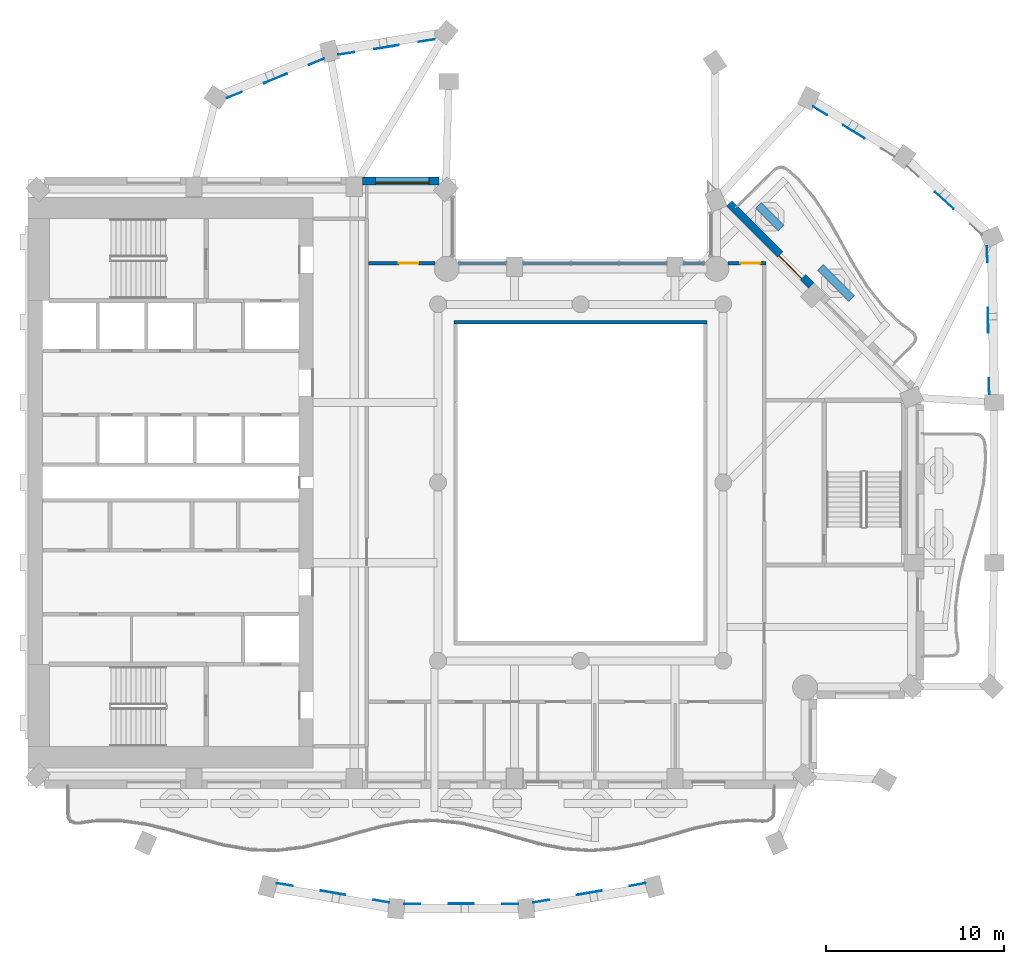
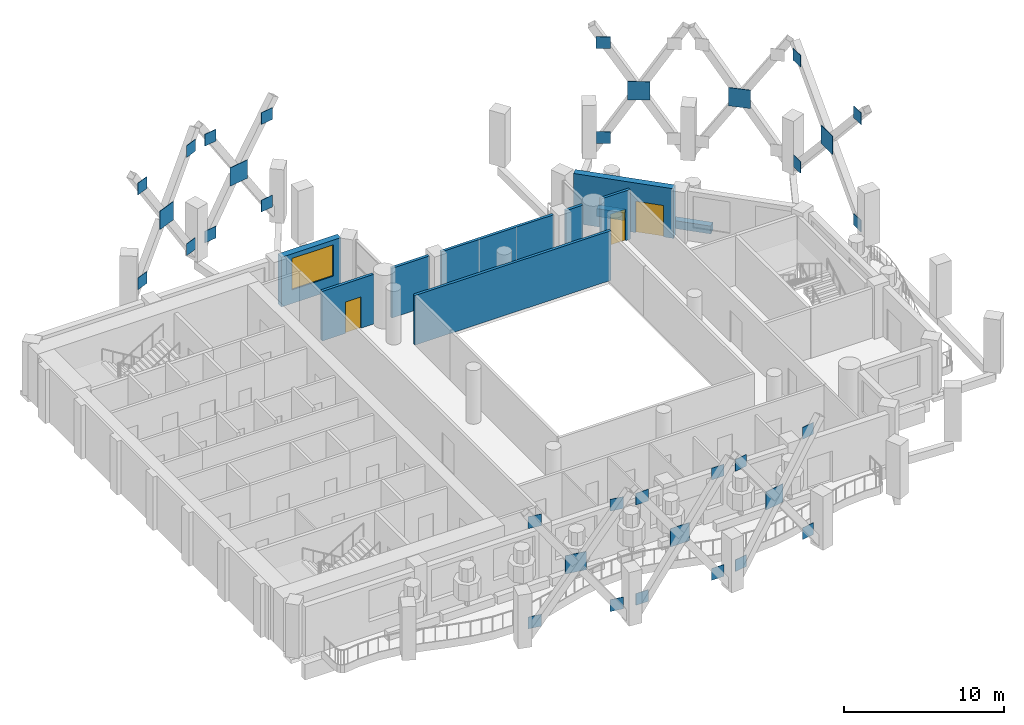
# One storey, part 7 of 16: 34 discrete accessories, 10 walls, 3 doors, 1 window, 4 openings.
"""IFC4 building model written with IfcOpenShell, lengths in metres."""

from ifc_helpers import new_model, si_unit, direction, frame, frame_2d, origin, origin_2d, place, context, subcontext, project, spatial, rectangle, extrude, material, layer, layer_set, material_profile, profile_set, type_object, element, fill, save


model = new_model("IFC4")

# Units and contexts
model_context = context("Model", 3, precision=1e-05, world=origin(), true_north=direction((0.0, 1.0)))
body_context = subcontext(model_context, "Body", "Model", "MODEL_VIEW")
ifc_project = project(units=[si_unit("LENGTHUNIT", "METRE"), si_unit("AREAUNIT", "SQUARE_METRE"), si_unit("VOLUMEUNIT", "CUBIC_METRE"), si_unit("PLANEANGLEUNIT", "RADIAN"), si_unit("MASSUNIT", "GRAM", prefix="KILO")], contexts=[model_context])

# Site, building, storey
site_placement = place(None, origin())
site = spatial("IfcSite", under=ifc_project, at=site_placement, CompositionType="ELEMENT")
building_placement = place(site_placement, origin())
building = spatial("IfcBuilding", under=site, at=building_placement, Name="Cypress Arch Tower", CompositionType="ELEMENT")
storey_placement = place(building_placement, frame((0.0, 0.0, 230.199951171875)))
storey = spatial("IfcBuildingStorey", under=building, at=storey_placement, Name="L51", CompositionType="ELEMENT", Elevation=230.199951171875)

# Walls
ifc_material_1 = material(Name="Concrete C40/50, waterproofed", Category="concrete")
ifc_layer_1 = layer(ifc_material_1, 0.449951171875)
ifc_layer_set_1 = layer_set([ifc_layer_1], Name="Balcony planter wall PW450")
wall_type_1 = type_object("IfcWallType", Name="Balcony planter wall PW450", PredefinedType="SOLIDWALL", material=ifc_layer_set_1)
wall_1_placement = place(storey_placement, frame((16.2060546875, 10.30810546875, 0.0), z_axis=(0.0, 0.0, 1.0), x_axis=(-0.707057827829, 0.707155731156, 0.0)))
element("IfcWall", 1, at=wall_1_placement, inside=storey, type_object=wall_type_1, Name="Balcony planter wall L51-B05.1", PredefinedType="SOLIDWALL", context=body_context, shape_type="SweptSolid", body=[
    extrude(rectangle(XDim=2.49365234375, YDim=0.449951171875, at=frame_2d((1.246826171875, 0.0))), origin(), (0.0, 0.0, 1.0), 0.60009765625),
])
wall_2_placement = place(storey_placement, frame((12.250732421875, 14.263427734375, 0.0), z_axis=(0.0, 0.0, 1.0), x_axis=(-0.707039709166, 0.707173846846, 0.0)))
element("IfcWall", 2, at=wall_2_placement, inside=storey, type_object=wall_type_1, Name="Balcony planter wall L51-B05.2", PredefinedType="SOLIDWALL", context=body_context, shape_type="SweptSolid", body=[
    extrude(rectangle(XDim=1.820068359375, YDim=0.449951171875, at=frame_2d((0.91015625, 0.0))), origin(), (0.0, 0.0, 1.0), 0.60009765625),
])

# Wall, opening, door
ifc_material_2 = material(Name="Brick (red buff blend)", Category="masonry")
ifc_layer_2 = layer(ifc_material_2, 0.449951171875)
ifc_layer_set_2 = layer_set([ifc_layer_2], Name="Brick pier and spandrel wall BW450")
wall_type_2 = type_object("IfcWallType", Name="Brick pier and spandrel wall BW450", PredefinedType="SOLIDWALL", material=ifc_layer_set_2)
wall_3_placement = place(storey_placement, frame((13.94091796875, 11.052978515625, 0.0), z_axis=(0.0, 0.0, 1.0), x_axis=(-0.707106781187, 0.707106781187, 0.0)))
wall_3 = element("IfcWall", 3, at=wall_3_placement, inside=storey, type_object=wall_type_2, Name="Brick wall L51 B05.1", PredefinedType="SOLIDWALL", context=body_context, shape_type="SweptSolid", body=[
    extrude(rectangle(XDim=6.505126953125, YDim=0.449951171875, at=frame_2d((3.25244140625, 0.0))), origin(), (0.0, 0.0, 1.0), 3.800048828125),
])
opening_1_placement = place(wall_3_placement, frame((0.665283203125, 0.0, 0.0)))
opening_1 = element("IfcOpeningElement", 4, at=opening_1_placement, cuts=wall_3, Name="Opening D-L51-B05.1.1", PredefinedType="OPENING", context=body_context, shape_type="SweptSolid", body=[
    extrude(rectangle(XDim=1.800048828125, YDim=2.39990234375, at=frame_2d((0.89990234375, 1.199951171875))), frame((0.0, 0.23486328125, 0.0), z_axis=(0.0, -1.0, 0.0), x_axis=(1.0, 0.0, 0.0)), (0.0, 0.0, 1.0), 0.469970703125),
])
ifc_material_3 = material(Name="Anodised aluminium, bronze finish, laminated low-emissivity double glazing, large-missile impact rated", Category="aluminium")
door_type_1 = type_object("IfcDoorType", Name="Balcony sliding door 1800x2400", OperationType="SLIDING_TO_LEFT", PredefinedType="DOOR", material=ifc_material_3)
door_1_placement = place(opening_1_placement, origin())
door_1 = element("IfcDoor", 5, at=door_1_placement, inside=storey, type_object=door_type_1, Name="Balcony door L51 B05.1.1", OperationType="SLIDING_TO_LEFT", OverallHeight=2.39990234375, OverallWidth=1.800048828125, PredefinedType="DOOR", context=body_context, shape_type="SweptSolid", body=[
    extrude(rectangle(XDim=1.800048828125, YDim=2.39990234375, at=frame_2d((0.89990234375, 1.199951171875))), frame((0.0, 0.1298828125, 0.0), z_axis=(0.0, -1.0, 0.0), x_axis=(1.0, 0.0, 0.0)), (0.0, 0.0, 1.0), 0.050048828125),
])
fill(opening_1, door_1)

# Wall, opening, window
wall_4_placement = place(storey_placement, frame((-6.936279296875, 16.925048828125, 0.0), z_axis=(0.0, 0.0, 1.0), x_axis=(-1.0, 0.0, 0.0)))
wall_4 = element("IfcWall", 6, at=wall_4_placement, inside=storey, type_object=wall_type_2, Name="Brick wall L51 B09.0", PredefinedType="SOLIDWALL", context=body_context, shape_type="SweptSolid", body=[
    extrude(rectangle(XDim=4.313720703125, YDim=0.449951171875, at=frame_2d((2.15673828125, 0.0))), origin(), (0.0, 0.0, 1.0), 3.800048828125),
])
opening_2_placement = place(wall_4_placement, frame((0.563720703125, 0.0, 1.050048828125)))
opening_2 = element("IfcOpeningElement", 7, at=opening_2_placement, cuts=wall_4, Name="Opening W300O", PredefinedType="OPENING", context=body_context, shape_type="SweptSolid", body=[
    extrude(rectangle(XDim=3.0, YDim=2.39990234375, at=frame_2d((1.5, 1.199951171875))), frame((0.0, 0.23486328125, 0.0), z_axis=(0.0, -1.0, 0.0), x_axis=(1.0, 0.0, 0.0)), (0.0, 0.0, 1.0), 0.469970703125),
])
ifc_material_4 = material(Name="Anodised aluminium, bronze finish, clear low-emissivity double glazing", Category="aluminium")
window_type = type_object("IfcWindowType", Name="Window Office 3000x2400", PartitioningType="SINGLE_PANEL", PredefinedType="WINDOW", material=ifc_material_4)
window_placement = place(opening_2_placement, origin())
window = element("IfcWindow", 8, at=window_placement, inside=storey, type_object=window_type, Name="Window L51 B09.0.1", OverallHeight=2.39990234375, OverallWidth=3.0, PartitioningType="SINGLE_PANEL", PredefinedType="WINDOW", context=body_context, shape_type="SweptSolid", body=[
    extrude(rectangle(XDim=3.0, YDim=2.39990234375, at=frame_2d((1.5, 1.199951171875))), frame((0.0, 0.135009765625, 0.0), z_axis=(0.0, -1.0, 0.0), x_axis=(1.0, 0.0, 0.0)), (0.0, 0.0, 1.0), 0.06005859375),
])
fill(opening_2, window)

# Wall, opening, door
ifc_material_5 = material(Name="Concrete blockwork, plastered, rated", Category="masonry")
ifc_layer_3 = layer(ifc_material_5, 0.199951171875)
ifc_layer_set_3 = layer_set([ifc_layer_3], Name="Corridor wall FW200")
wall_type_3 = type_object("IfcWallType", Name="Corridor wall FW200", PredefinedType="PARTITIONING", material=ifc_layer_set_3)
wall_5_placement = place(storey_placement, frame((-10.89990234375, 12.300048828125, 0.0), z_axis=(0.0, 0.0, 1.0), x_axis=(1.0, 0.0, 0.0)))
wall_5 = element("IfcWall", 9, at=wall_5_placement, inside=storey, type_object=wall_type_3, Name="Corridor wall", PredefinedType="PARTITIONING", context=body_context, shape_type="SweptSolid", body=[
    extrude(rectangle(XDim=3.734619140625, YDim=0.199951171875, at=frame_2d((1.8671875, 0.0))), origin(), (0.0, 0.0, 1.0), 3.800048828125),
])
opening_3_placement = place(wall_5_placement, frame((1.699951171875, 0.0, 0.0)))
opening_3 = element("IfcOpeningElement", 10, at=opening_3_placement, cuts=wall_5, Name="Opening D01", PredefinedType="OPENING", context=body_context, shape_type="SweptSolid", body=[
    extrude(rectangle(XDim=1.10009765625, YDim=2.39990234375, at=frame_2d((0.550048828125, 1.199951171875))), frame((0.0, 0.10986328125, 0.0), z_axis=(0.0, -1.0, 0.0), x_axis=(1.0, 0.0, 0.0)), (0.0, 0.0, 1.0), 0.219970703125),
])
ifc_material_6 = material(Name="Timber flush door, fire resisting, self-closing", Category="wood")
door_type_2 = type_object("IfcDoorType", Name="Unit entrance door D01 1100x2400", OperationType="SINGLE_SWING_LEFT", PredefinedType="DOOR", material=ifc_material_6)
door_2_placement = place(opening_3_placement, origin())
door_2 = element("IfcDoor", 11, at=door_2_placement, inside=storey, type_object=door_type_2, Name="Unit entrance door", OperationType="SINGLE_SWING_RIGHT", OverallHeight=2.39990234375, OverallWidth=1.10009765625, PredefinedType="DOOR", context=body_context, shape_type="SweptSolid", body=[
    extrude(rectangle(XDim=1.10009765625, YDim=2.39990234375, at=frame_2d((0.550048828125, 1.199951171875))), frame((0.0, 0.02490234375, 0.0), z_axis=(0.0, -1.0, 0.0), x_axis=(1.0, 0.0, 0.0)), (0.0, 0.0, 1.0), 0.050048828125),
])
fill(opening_3, door_2)

# Walls
wall_6_placement = place(storey_placement, frame((-5.859130859375, 12.300048828125, 0.0), z_axis=(0.0, 0.0, 1.0), x_axis=(1.0, 0.0, 0.0)))
element("IfcWall", 12, at=wall_6_placement, inside=storey, type_object=wall_type_3, Name="Corridor wall", PredefinedType="PARTITIONING", context=body_context, shape_type="SweptSolid", body=[
    extrude(rectangle(XDim=2.709228515625, YDim=0.199951171875, at=frame_2d((1.3544921875, 0.0))), origin(), (0.0, 0.0, 1.0), 3.800048828125),
])
wall_7_placement = place(storey_placement, frame((-2.25, 12.300048828125, 0.0), z_axis=(0.0, 0.0, 1.0), x_axis=(1.0, 0.0, 0.0)))
element("IfcWall", 13, at=wall_7_placement, inside=storey, type_object=wall_type_3, Name="Corridor wall", PredefinedType="PARTITIONING", context=body_context, shape_type="SweptSolid", body=[
    extrude(rectangle(XDim=8.10009765625, YDim=0.199951171875, at=frame_2d((4.050048828125, 0.0))), origin(), (0.0, 0.0, 1.0), 3.800048828125),
])
wall_8_placement = place(storey_placement, frame((6.75, 12.300048828125, 0.0), z_axis=(0.0, 0.0, 1.0), x_axis=(1.0, 0.0, 0.0)))
element("IfcWall", 14, at=wall_8_placement, inside=storey, type_object=wall_type_3, Name="Corridor wall", PredefinedType="PARTITIONING", context=body_context, shape_type="SweptSolid", body=[
    extrude(rectangle(XDim=1.208984375, YDim=0.199951171875, at=frame_2d((0.6044921875, 0.0))), origin(), (0.0, 0.0, 1.0), 3.800048828125),
])
wall_9_placement = place(storey_placement, frame((-6.10009765625, 9.0, 0.0), z_axis=(0.0, 0.0, 1.0), x_axis=(1.0, 0.0, 0.0)))
element("IfcWall", 15, at=wall_9_placement, inside=storey, type_object=wall_type_3, Name="Corridor wall", PredefinedType="PARTITIONING", context=body_context, shape_type="SweptSolid", body=[
    extrude(rectangle(XDim=14.2001953125, YDim=0.199951171875, at=frame_2d((7.10009765625, 0.0))), origin(), (0.0, 0.0, 1.0), 3.800048828125),
])

# Wall, opening, door
wall_10_placement = place(storey_placement, frame((9.26513671875, 12.300048828125, 0.0), z_axis=(0.0, 0.0, 1.0), x_axis=(1.0, 0.0, 0.0)))
wall_10 = element("IfcWall", 16, at=wall_10_placement, inside=storey, type_object=wall_type_3, Name="Corridor wall", PredefinedType="PARTITIONING", context=body_context, shape_type="SweptSolid", body=[
    extrude(rectangle(XDim=2.134765625, YDim=0.199951171875, at=frame_2d((1.0673828125, 0.0))), origin(), (0.0, 0.0, 1.0), 3.800048828125),
])
opening_4_placement = place(wall_10_placement, frame((0.699951171875, 0.0, 0.0)))
opening_4 = element("IfcOpeningElement", 17, at=opening_4_placement, cuts=wall_10, Name="Opening D01", PredefinedType="OPENING", context=body_context, shape_type="SweptSolid", body=[
    extrude(rectangle(XDim=1.10009765625, YDim=2.39990234375, at=frame_2d((0.550048828125, 1.199951171875))), frame((0.0, 0.10986328125, 0.0), z_axis=(0.0, -1.0, 0.0), x_axis=(1.0, 0.0, 0.0)), (0.0, 0.0, 1.0), 0.219970703125),
])
door_3_placement = place(opening_4_placement, origin())
door_3 = element("IfcDoor", 18, at=door_3_placement, inside=storey, type_object=door_type_2, Name="Unit entrance door", OperationType="SINGLE_SWING_LEFT", OverallHeight=2.39990234375, OverallWidth=1.10009765625, PredefinedType="DOOR", context=body_context, shape_type="SweptSolid", body=[
    extrude(rectangle(XDim=1.10009765625, YDim=2.39990234375, at=frame_2d((0.550048828125, 1.199951171875))), frame((0.0, 0.02490234375, 0.0), z_axis=(0.0, -1.0, 0.0), x_axis=(1.0, 0.0, 0.0)), (0.0, 0.0, 1.0), 0.050048828125),
])
fill(opening_4, door_3)

# Discrete accessories
ifc_material_7 = material(Name="Steel ASTM A992", Category="steel")
ifc_material_profile_1 = material_profile(ifc_material_7, rectangle(XDim=0.89990234375, YDim=0.89990234375, at=origin_2d()), Name="PL 30 900x900")
ifc_profile_set_1 = profile_set([ifc_material_profile_1], Name="Steel ASTM A992")
discrete_accessory_type_1 = type_object("IfcDiscreteAccessoryType", Name="Gusset plate 900x900x30 Steel ASTM A992", PredefinedType="ANCHORPLATE", material=ifc_profile_set_1)
discrete_accessory_1_placement = place(storey_placement, frame((-7.630859375, 24.806396484375, 1.7529296875), z_axis=(0.15512400912, -0.987895005451, 0.0), x_axis=(0.987895005451, 0.15512400912, 0.0)))
element("IfcDiscreteAccessory", 19, at=discrete_accessory_1_placement, inside=storey, type_object=discrete_accessory_type_1, Name="Gusset plate L51 CQ02-CQ03u0", PredefinedType="ANCHORPLATE", context=body_context, shape_type="SweptSolid", body=[
    extrude(rectangle(XDim=0.89990234375, YDim=0.89990234375, at=origin_2d()), origin(), (0.0, 0.0, 1.0), 0.02978515625),
])
discrete_accessory_2_placement = place(storey_placement, frame((-12.149658203125, 24.0849609375, 8.80810546875), z_axis=(0.153882731479, -0.98808911792, 0.0), x_axis=(0.98808911792, 0.153882731479, 0.0)))
element("IfcDiscreteAccessory", 20, at=discrete_accessory_2_placement, inside=storey, type_object=discrete_accessory_type_1, Name="Gusset plate L51 CQ02-CQ03u1", PredefinedType="ANCHORPLATE", context=body_context, shape_type="SweptSolid", body=[
    extrude(rectangle(XDim=0.89990234375, YDim=0.89990234375, at=origin_2d()), origin(), (0.0, 0.0, 1.0), 0.030029296875),
])
discrete_accessory_3_placement = place(storey_placement, frame((-7.630859375, 24.806396484375, 8.447265625), z_axis=(0.15512400912, -0.987895005451, 0.0), x_axis=(0.987895005451, 0.15512400912, 0.0)))
element("IfcDiscreteAccessory", 21, at=discrete_accessory_3_placement, inside=storey, type_object=discrete_accessory_type_1, Name="Gusset plate L51 CQ02-CQ03d0", PredefinedType="ANCHORPLATE", context=body_context, shape_type="SweptSolid", body=[
    extrude(rectangle(XDim=0.89990234375, YDim=0.89990234375, at=origin_2d()), origin(), (0.0, 0.0, 1.0), 0.02978515625),
])
for number, where, z_axis, x_axis, name in (
    (22, (-12.149658203125, 24.0849609375, 1.39208984375), (0.153882731479, -0.98808911792, 0.0), (0.98808911792, 0.153882731479, 0.0), "Gusset plate L51 CQ02-CQ03d1"),
    (23, (-13.822998046875, 23.618896484375, 1.342041015625), (0.381157654408, -0.924510055373, 0.0), (0.924510055373, 0.381157654408, 0.0), "Gusset plate L51 CQ03-CQ04u0"),
    (24, (-18.429443359375, 21.7529296875, 8.729248046875), (0.374194034192, -0.927350432563, 0.0), (0.927350432563, 0.374194034192, 0.0), "Gusset plate L51 CQ03-CQ04u1"),
    (25, (-13.822998046875, 23.618896484375, 8.85791015625), (0.381157654408, -0.924510055373, 0.0), (0.924510055373, 0.381157654408, 0.0), "Gusset plate L51 CQ03-CQ04d0"),
    (26, (-18.429443359375, 21.7529296875, 1.470947265625), (0.374194034192, -0.927350432563, 0.0), (0.927350432563, 0.374194034192, 0.0), "Gusset plate L51 CQ03-CQ04d1"),
    (27, (-15.59716796875, -22.56884765625, 1.26123046875), (0.163076596924, 0.986613411391, 0.0), (-0.986613411391, 0.163076596924, 0.0), "Gusset plate L51 CQ06-CQ07u0"),
    (28, (-10.188232421875, -23.500244140625, 8.93896484375), (0.170997525788, 0.985271458114, 0.0), (-0.985271458114, 0.170997525788, 0.0), "Gusset plate L51 CQ06-CQ07u1"),
    (29, (-15.59716796875, -22.56884765625, 8.938720703125), (0.163076596924, 0.986613411391, 0.0), (-0.986613411391, 0.163076596924, 0.0), "Gusset plate L51 CQ06-CQ07d0"),
    (30, (-10.188232421875, -23.500244140625, 1.26123046875), (0.170997525788, 0.985271458114, 0.0), (-0.985271458114, 0.170997525788, 0.0), "Gusset plate L51 CQ06-CQ07d1"),
    (31, (-8.441162109375, -23.649658203125, 1.262451171875), (0.0, 1.0, 0.0), (-1.0, 0.0, 0.0), "Gusset plate L51 CQ07-CQ08u0"),
    (32, (-2.958984375, -23.649658203125, 8.937744140625), (0.0, 1.0, 0.0), (-1.0, 0.0, 0.0), "Gusset plate L51 CQ07-CQ08u1"),
    (33, (-8.441162109375, -23.649658203125, 8.937744140625), (0.0, 1.0, 0.0), (-1.0, 0.0, 0.0), "Gusset plate L51 CQ07-CQ08d0"),
    (34, (-2.958984375, -23.649658203125, 1.262451171875), (0.0, 1.0, 0.0), (-1.0, 0.0, 0.0), "Gusset plate L51 CQ07-CQ08d1"),
    (35, (-1.2119140625, -23.500244140625, 1.26123046875), (-0.170997525788, 0.985271458114, 0.0), (-0.985271458114, -0.170997525788, 0.0), "Gusset plate L51 CQ08-CQ09u0"),
    (36, (4.197265625, -22.56884765625, 8.938720703125), (-0.170997525788, 0.985271458114, 0.0), (-0.985271458114, -0.170997525788, 0.0), "Gusset plate L51 CQ08-CQ09u1"),
    (37, (-1.2119140625, -23.500244140625, 8.93896484375), (-0.170997525788, 0.985271458114, 0.0), (-0.985271458114, -0.170997525788, 0.0), "Gusset plate L51 CQ08-CQ09d0"),
    (38, (4.197265625, -22.56884765625, 1.26123046875), (-0.170997525788, 0.985271458114, 0.0), (-0.985271458114, -0.170997525788, 0.0), "Gusset plate L51 CQ08-CQ09d1"),
    (39, (23.932861328125, 5.396240234375, 0.991455078125), (-0.999867829764, -0.016258013492, 0.0), (0.016258013492, -0.999867829764, 0.0), "Gusset plate L51 CQ14-CQ15u0"),
    (40, (23.82373046875, 12.8154296875, 9.16455078125), (-0.999867829764, -0.016258013492, 0.0), (0.016258013492, -0.999867829764, 0.0), "Gusset plate L51 CQ14-CQ15u1"),
    (41, (23.932861328125, 5.396240234375, 9.208740234375), (-0.999867829764, -0.016258013492, 0.0), (0.016258013492, -0.999867829764, 0.0), "Gusset plate L51 CQ14-CQ15d0"),
    (42, (23.82373046875, 12.8154296875, 1.03564453125), (-0.999867829764, -0.016258013492, 0.0), (0.016258013492, -0.999867829764, 0.0), "Gusset plate L51 CQ14-CQ15d1"),
):
    element("IfcDiscreteAccessory", number, at=place(storey_placement, frame(where, z_axis=z_axis, x_axis=x_axis)), inside=storey, type_object=discrete_accessory_type_1, Name=name, PredefinedType="ANCHORPLATE", context=body_context, shape_type="SweptSolid", body=[
        extrude(rectangle(XDim=0.89990234375, YDim=0.89990234375, at=origin_2d()), origin(), (0.0, 0.0, 1.0), 0.030029296875),
    ])
for number, where, z_axis, x_axis, name in (
    (43, (14.43798828125, 20.8603515625, 8.731689453125), (-0.524097425664, -0.851658316705, 0.0), (0.851658316705, -0.524097425664, 0.0), "Gusset plate L51 CQ16-CQ17u1"),
    (44, (14.43798828125, 20.8603515625, 1.46826171875), (-0.524097425664, -0.851658316705, 0.0), (0.851658316705, -0.524097425664, 0.0), "Gusset plate L51 CQ16-CQ17d1"),
):
    element("IfcDiscreteAccessory", number, at=place(storey_placement, frame(where, z_axis=z_axis, x_axis=x_axis)), inside=storey, type_object=discrete_accessory_type_1, Name=name, PredefinedType="ANCHORPLATE", context=body_context, shape_type="SweptSolid", body=[
        extrude(rectangle(XDim=0.89990234375, YDim=0.89990234375, at=origin_2d()), origin(), (0.0, 0.0, 1.0), 0.02978515625),
    ])
ifc_material_8 = material(Name="Steel ASTM A992", Category="steel")
ifc_material_profile_2 = material_profile(ifc_material_8, rectangle(XDim=1.39990234375, YDim=1.39990234375, at=origin_2d()), Name="PL 40 1400x1400")
ifc_profile_set_2 = profile_set([ifc_material_profile_2], Name="Steel ASTM A992")
discrete_accessory_type_2 = type_object("IfcDiscreteAccessoryType", Name="Node plate 1400x1400x40 Steel ASTM A992", PredefinedType="ANCHORPLATE", material=ifc_profile_set_2)
discrete_accessory_4_placement = place(storey_placement, frame((-9.890380859375, 24.445556640625, 5.10009765625), z_axis=(0.159425218663, -0.987210007878, 0.0), x_axis=(0.987210007878, 0.159425218663, 0.0)))
element("IfcDiscreteAccessory", 45, at=discrete_accessory_4_placement, inside=storey, type_object=discrete_accessory_type_2, Name="Node plate L51 CQ02-CQ03", PredefinedType="ANCHORPLATE", context=body_context, shape_type="SweptSolid", body=[
    extrude(rectangle(XDim=1.39990234375, YDim=1.39990234375, at=origin_2d()), origin(), (0.0, 0.0, 1.0), 0.039794921875),
])
for number, where, z_axis, x_axis, name in (
    (46, (-16.126220703125, 22.68603515625, 5.10009765625), (0.377683854905, -0.925934612024, 0.0), (0.925934612024, 0.377683854905, 0.0), "Node plate L51 CQ03-CQ04"),
    (47, (-12.892822265625, -23.03466796875, 5.10009765625), (0.170314285219, 0.985389793052, 0.0), (-0.985389793052, 0.170314285219, 0.0), "Node plate L51 CQ06-CQ07"),
    (48, (-5.699951171875, -23.649658203125, 5.10009765625), (0.0, 1.0, 0.0), (-1.0, 0.0, 0.0), "Node plate L51 CQ07-CQ08"),
    (49, (1.49267578125, -23.03466796875, 5.10009765625), (-0.170314285219, 0.985389793052, 0.0), (-0.985389793052, -0.170314285219, 0.0), "Node plate L51 CQ08-CQ09"),
):
    element("IfcDiscreteAccessory", number, at=place(storey_placement, frame(where, z_axis=z_axis, x_axis=x_axis)), inside=storey, type_object=discrete_accessory_type_2, Name=name, PredefinedType="ANCHORPLATE", context=body_context, shape_type="SweptSolid", body=[
        extrude(rectangle(XDim=1.39990234375, YDim=1.39990234375, at=origin_2d()), origin(), (0.0, 0.0, 1.0), 0.0400390625),
    ])
discrete_accessory_5_placement = place(storey_placement, frame((23.878173828125, 9.105712890625, 5.10009765625), z_axis=(-0.999924732801, -0.012269015126, 0.0), x_axis=(0.012269015126, -0.999924732801, 0.0)))
element("IfcDiscreteAccessory", 50, at=discrete_accessory_5_placement, inside=storey, type_object=discrete_accessory_type_2, Name="Node plate L51 CQ14-CQ15", PredefinedType="ANCHORPLATE", context=body_context, shape_type="SweptSolid", body=[
    extrude(rectangle(XDim=1.39990234375, YDim=1.39990234375, at=origin_2d()), origin(), (0.0, 0.0, 1.0), 0.039794921875),
])
for number, where, z_axis, x_axis, name in (
    (51, (21.415771484375, 15.8388671875, 5.10009765625), (-0.676000359041, -0.736901292288, 0.0), (0.736901292288, -0.676000359041, 0.0), "Node plate L51 CQ15-CQ16"),
    (52, (16.337646484375, 19.692138671875, 5.10009765625), (-0.523418105875, -0.852075986308, 0.0), (0.852075986308, -0.523418105875, 0.0), "Node plate L51 CQ16-CQ17"),
):
    element("IfcDiscreteAccessory", number, at=place(storey_placement, frame(where, z_axis=z_axis, x_axis=x_axis)), inside=storey, type_object=discrete_accessory_type_2, Name=name, PredefinedType="ANCHORPLATE", context=body_context, shape_type="SweptSolid", body=[
        extrude(rectangle(XDim=1.39990234375, YDim=1.39990234375, at=origin_2d()), origin(), (0.0, 0.0, 1.0), 0.0400390625),
    ])

save(model, "model.ifc")
